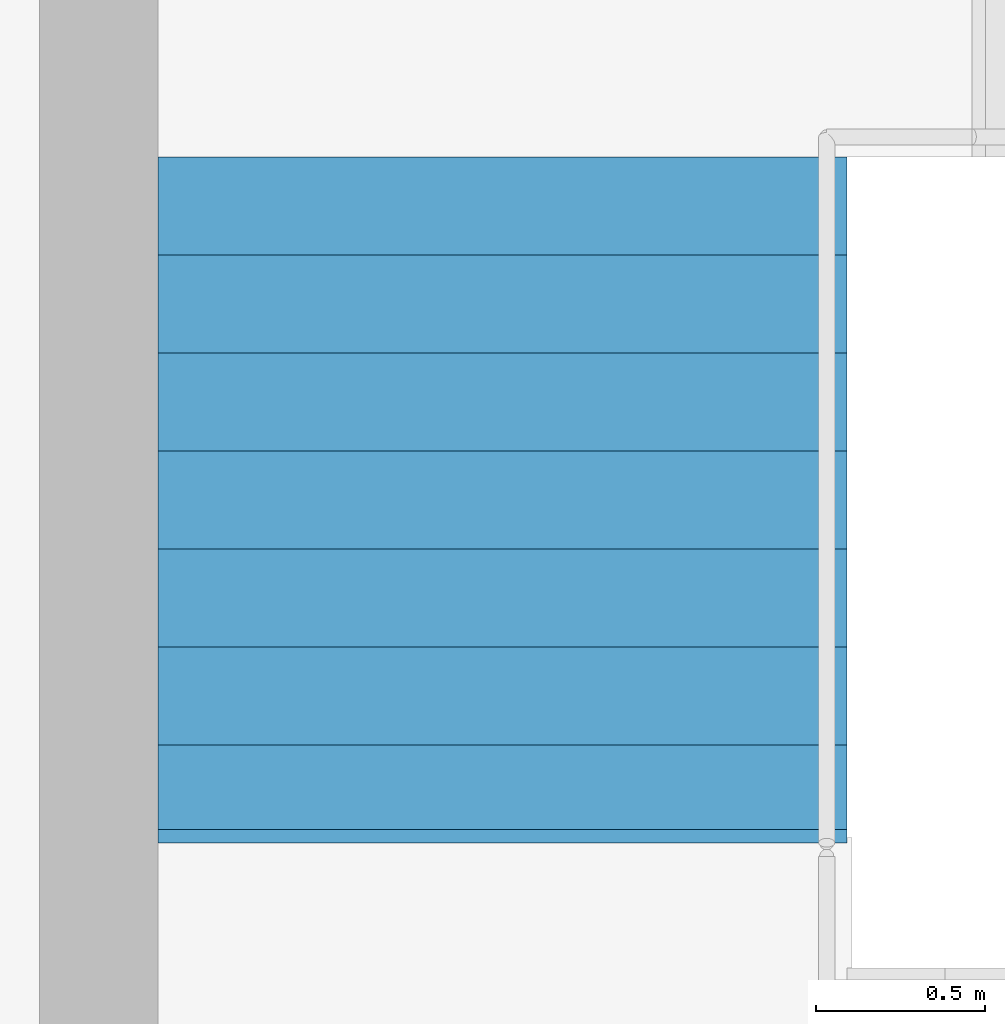
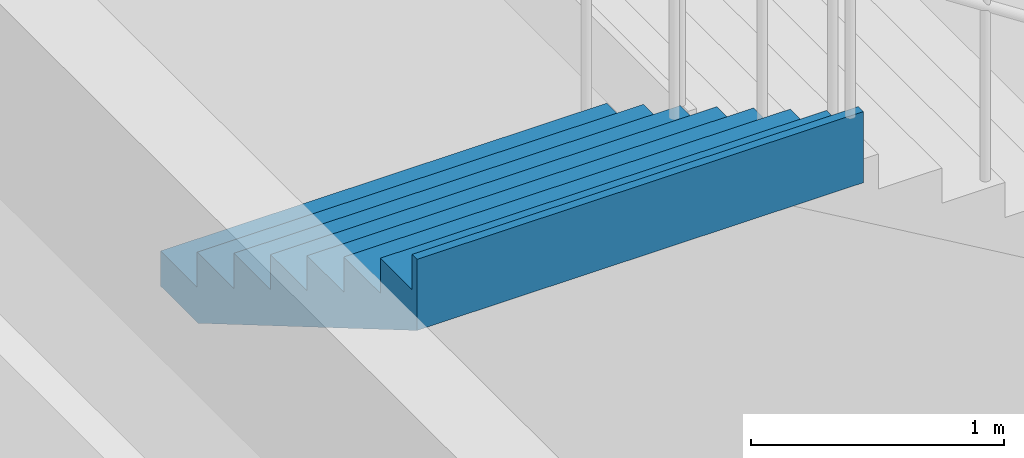
# One storey, part 53 of 72: 1 stair flight, 1 element without a shape of its own.
"""IFC4 building model written with IfcOpenShell, lengths in metres."""

from ifc_helpers import new_model, si_unit, direction, frame, origin, place, context, subcontext, project, spatial, triangles, material, type_object, element, aggregate, save


model = new_model("IFC4")

# Units and contexts
model_context = context("Model", 3, precision=1e-05, world=origin(), true_north=direction((0.0, 1.0)))
body_context = subcontext(model_context, "Body", "Model", "MODEL_VIEW")
ifc_project = project(units=[si_unit("LENGTHUNIT", "METRE"), si_unit("AREAUNIT", "SQUARE_METRE"), si_unit("VOLUMEUNIT", "CUBIC_METRE"), si_unit("PLANEANGLEUNIT", "RADIAN"), si_unit("MASSUNIT", "GRAM", prefix="KILO")], contexts=[model_context])

# Site, building, storey
site_placement = place(None, origin())
site = spatial("IfcSite", under=ifc_project, at=site_placement, CompositionType="ELEMENT")
building_placement = place(site_placement, origin())
building = spatial("IfcBuilding", under=site, at=building_placement, Name="Sillaruma Civic Art Gallery", CompositionType="ELEMENT")
storey_placement = place(building_placement, frame((0.0, 0.0, 10.8798828125)))
storey = spatial("IfcBuildingStorey", under=building, at=storey_placement, Name="L02", CompositionType="ELEMENT", Elevation=10.8798828125)

# Stair, stair flight
ifc_material = material(Name="Concrete H35 (35 MPa)", Category="concrete")
stair_type = type_object("IfcStairType", Name="STR-4F-32", PredefinedType="USERDEFINED", material=ifc_material)
stair_placement = place(storey_placement, origin())
stair = element("IfcStair", 1, at=stair_placement, inside=storey, type_object=stair_type, Name="Protected Exit Stair ST-04 (East Bar) (L02)", ObjectType="THREE_RETURN_STAIR", PredefinedType="USERDEFINED")
stair_flight_type = type_object("IfcStairFlightType", Name="SFL-STR-8", PredefinedType="STRAIGHT", material=ifc_material)
stair_flight_placement = place(storey_placement, frame((99.8798828125, 55.64990234375, 4.080078125), z_axis=(0.0, 0.0, 1.0), x_axis=(0.0, -1.0, 0.0)))
stair_flight = element("IfcStairFlight", 2, at=stair_flight_placement, type_object=stair_flight_type, Name="ST-04 flight 4", NumberOfRisers=8, NumberOfTreads=7, PredefinedType="STRAIGHT", RiserHeight=0.17, TreadLength=0.29, context=body_context, shape_type="Tessellation", body=[
    triangles([(0.0, -1.02001953125, 0.0), (0.29, -1.02001953125, 0.0), (0.296443, -1.02001953125, 0.0), (0.58, -1.02001953125, 0.166223), (0.87, -1.02001953125, 0.336223), (1.16, -1.02001953125, 0.506223), (1.45, -1.02001953125, 0.676223), (1.74, -1.02001953125, 0.846223), (1.990029, -1.02001953125, 0.992792), (2.030029, -1.02001953125, 1.01624), (2.030029, -1.02001953125, 1.36), (1.990029, -1.02001953125, 1.36), (1.990029, -1.02001953125, 1.19), (1.74, -1.02001953125, 1.19), (1.74, -1.02001953125, 1.02), (1.45, -1.02001953125, 1.02), (1.45, -1.02001953125, 0.85), (1.16, -1.02001953125, 0.85), (1.16, -1.02001953125, 0.68), (0.87, -1.02001953125, 0.68), (0.87, -1.02001953125, 0.51), (0.58, -1.02001953125, 0.51), (0.58, -1.02001953125, 0.34), (0.296443, -1.02001953125, 0.34), (0.29, -1.02001953125, 0.34), (0.29, -1.02001953125, 0.17), (0.0, -1.02001953125, 0.17), (0.0, -0.05, 0.0), (0.29, -0.05, 0.0), (0.296443, -0.05, 0.0), (0.58, -0.05, 0.166223), (0.87, -0.05, 0.336223), (1.16, -0.05, 0.506223), (1.45, -0.05, 0.676223), (1.74, -0.05, 0.846223), (1.990029, -0.05, 0.992792), (2.030029, -0.05, 1.01624), (2.030029, -0.05, 1.36), (1.990029, -0.05, 1.36), (1.990029, -0.05, 1.19), (1.74, -0.05, 1.19), (1.74, -0.05, 1.02), (1.45, -0.05, 1.02), (1.45, -0.05, 0.85), (1.16, -0.05, 0.85), (1.16, -0.05, 0.68), (0.87, -0.05, 0.68), (0.87, -0.05, 0.51), (0.58, -0.05, 0.51), (0.58, -0.05, 0.34), (0.296443, -0.05, 0.34), (0.29, -0.05, 0.34), (0.29, -0.05, 0.17), (0.0, -0.05, 0.17), (0.0, -0.0375, 0.0), (0.29, -0.0375, 0.0), (0.296443, -0.0375, 0.0), (0.58, -0.0375, 0.166223), (0.87, -0.0375, 0.336223), (1.16, -0.0375, 0.506223), (1.45, -0.0375, 0.676223), (1.74, -0.0375, 0.846223), (1.990029, -0.0375, 0.992792), (2.030029, -0.0375, 1.01624), (2.030029, -0.0375, 1.36), (1.990029, -0.0375, 1.36), (1.990029, -0.0375, 1.19), (1.74, -0.0375, 1.19), (1.74, -0.0375, 1.02), (1.45, -0.0375, 1.02), (1.45, -0.0375, 0.85), (1.16, -0.0375, 0.85), (1.16, -0.0375, 0.68), (0.87, -0.0375, 0.68), (0.87, -0.0375, 0.51), (0.58, -0.0375, 0.51), (0.58, -0.0375, 0.34), (0.296443, -0.0375, 0.34), (0.29, -0.0375, 0.34), (0.29, -0.0375, 0.17), (0.0, -0.0375, 0.17), (0.0, -0.025, 0.0), (0.29, -0.025, 0.0), (0.296443, -0.025, 0.0), (0.58, -0.025, 0.166223), (0.87, -0.025, 0.336223), (1.16, -0.025, 0.506223), (1.45, -0.025, 0.676223), (1.74, -0.025, 0.846223), (1.990029, -0.025, 0.992792), (2.030029, -0.025, 1.01624), (2.030029, -0.025, 1.36), (1.990029, -0.025, 1.36), (1.990029, -0.025, 1.19), (1.74, -0.025, 1.19), (1.74, -0.025, 1.02), (1.45, -0.025, 1.02), (1.45, -0.025, 0.85), (1.16, -0.025, 0.85), (1.16, -0.025, 0.68), (0.87, -0.025, 0.68), (0.87, -0.025, 0.51), (0.58, -0.025, 0.51), (0.58, -0.025, 0.34), (0.296443, -0.025, 0.34), (0.29, -0.025, 0.34), (0.29, -0.025, 0.17), (0.0, -0.025, 0.17), (0.0, -0.0125, 0.0), (0.29, -0.0125, 0.0), (0.296443, -0.0125, 0.0), (0.58, -0.0125, 0.166223), (0.87, -0.0125, 0.336223), (1.16, -0.0125, 0.506223), (1.45, -0.0125, 0.676223), (1.74, -0.0125, 0.846223), (1.990029, -0.0125, 0.992792), (2.030029, -0.0125, 1.01624), (2.030029, -0.0125, 1.36), (1.990029, -0.0125, 1.36), (1.990029, -0.0125, 1.19), (1.74, -0.0125, 1.19), (1.74, -0.0125, 1.02), (1.45, -0.0125, 1.02), (1.45, -0.0125, 0.85), (1.16, -0.0125, 0.85), (1.16, -0.0125, 0.68), (0.87, -0.0125, 0.68), (0.87, -0.0125, 0.51), (0.58, -0.0125, 0.51), (0.58, -0.0125, 0.34), (0.296443, -0.0125, 0.34), (0.29, -0.0125, 0.34), (0.29, -0.0125, 0.17), (0.0, -0.0125, 0.17), (0.0, 0.0, 0.0), (0.29, 0.0, 0.0), (0.296443, 0.0, 0.0), (0.58, 0.0, 0.166223), (0.87, 0.0, 0.336223), (1.16, 0.0, 0.506223), (1.45, 0.0, 0.676223), (1.74, 0.0, 0.846223), (1.990029, 0.0, 0.992792), (2.030029, 0.0, 1.01624), (2.030029, 0.0, 1.36), (1.990029, 0.0, 1.36), (1.990029, 0.0, 1.19), (1.74, 0.0, 1.19), (1.74, 0.0, 1.02), (1.45, 0.0, 1.02), (1.45, 0.0, 0.85), (1.16, 0.0, 0.85), (1.16, 0.0, 0.68), (0.87, 0.0, 0.68), (0.87, 0.0, 0.51), (0.58, 0.0, 0.51), (0.58, 0.0, 0.34), (0.296443, 0.0, 0.34), (0.29, 0.0, 0.34), (0.29, 0.0, 0.17), (0.0, 0.0, 0.17), (0.0, 0.0125, 0.0), (0.29, 0.0125, 0.0), (0.296443, 0.0125, 0.0), (0.58, 0.0125, 0.166223), (0.87, 0.0125, 0.336223), (1.16, 0.0125, 0.506223), (1.45, 0.0125, 0.676223), (1.74, 0.0125, 0.846223), (1.990029, 0.0125, 0.992792), (2.030029, 0.0125, 1.01624), (2.030029, 0.0125, 1.36), (1.990029, 0.0125, 1.36), (1.990029, 0.0125, 1.19), (1.74, 0.0125, 1.19), (1.74, 0.0125, 1.02), (1.45, 0.0125, 1.02), (1.45, 0.0125, 0.85), (1.16, 0.0125, 0.85), (1.16, 0.0125, 0.68), (0.87, 0.0125, 0.68), (0.87, 0.0125, 0.51), (0.58, 0.0125, 0.51), (0.58, 0.0125, 0.34), (0.296443, 0.0125, 0.34), (0.29, 0.0125, 0.34), (0.29, 0.0125, 0.17), (0.0, 0.0125, 0.17), (0.0, 0.025, 0.0), (0.29, 0.025, 0.0), (0.296443, 0.025, 0.0), (0.58, 0.025, 0.166223), (0.87, 0.025, 0.336223), (1.16, 0.025, 0.506223), (1.45, 0.025, 0.676223), (1.74, 0.025, 0.846223), (1.990029, 0.025, 0.992792), (2.030029, 0.025, 1.01624), (2.030029, 0.025, 1.36), (1.990029, 0.025, 1.36), (1.990029, 0.025, 1.19), (1.74, 0.025, 1.19), (1.74, 0.025, 1.02), (1.45, 0.025, 1.02), (1.45, 0.025, 0.85), (1.16, 0.025, 0.85), (1.16, 0.025, 0.68), (0.87, 0.025, 0.68), (0.87, 0.025, 0.51), (0.58, 0.025, 0.51), (0.58, 0.025, 0.34), (0.296443, 0.025, 0.34), (0.29, 0.025, 0.34), (0.29, 0.025, 0.17), (0.0, 0.025, 0.17), (0.0, 0.0375, 0.0), (0.29, 0.0375, 0.0), (0.296443, 0.0375, 0.0), (0.58, 0.0375, 0.166223), (0.87, 0.0375, 0.336223), (1.16, 0.0375, 0.506223), (1.45, 0.0375, 0.676223), (1.74, 0.0375, 0.846223), (1.990029, 0.0375, 0.992792), (2.030029, 0.0375, 1.01624), (2.030029, 0.0375, 1.36), (1.990029, 0.0375, 1.36), (1.990029, 0.0375, 1.19), (1.74, 0.0375, 1.19), (1.74, 0.0375, 1.02), (1.45, 0.0375, 1.02), (1.45, 0.0375, 0.85), (1.16, 0.0375, 0.85), (1.16, 0.0375, 0.68), (0.87, 0.0375, 0.68), (0.87, 0.0375, 0.51), (0.58, 0.0375, 0.51), (0.58, 0.0375, 0.34), (0.296443, 0.0375, 0.34), (0.29, 0.0375, 0.34), (0.29, 0.0375, 0.17), (0.0, 0.0375, 0.17), (0.0, 0.05, 0.0), (0.29, 0.05, 0.0), (0.296443, 0.05, 0.0), (0.58, 0.05, 0.166223), (0.87, 0.05, 0.336223), (1.16, 0.05, 0.506223), (1.45, 0.05, 0.676223), (1.74, 0.05, 0.846223), (1.990029, 0.05, 0.992792), (2.030029, 0.05, 1.01624), (2.030029, 0.05, 1.36), (1.990029, 0.05, 1.36), (1.990029, 0.05, 1.19), (1.74, 0.05, 1.19), (1.74, 0.05, 1.02), (1.45, 0.05, 1.02), (1.45, 0.05, 0.85), (1.16, 0.05, 0.85), (1.16, 0.05, 0.68), (0.87, 0.05, 0.68), (0.87, 0.05, 0.51), (0.58, 0.05, 0.51), (0.58, 0.05, 0.34), (0.296443, 0.05, 0.34), (0.29, 0.05, 0.34), (0.29, 0.05, 0.17), (0.0, 0.05, 0.17), (0.0, 1.02001953125, 0.0), (0.29, 1.02001953125, 0.0), (0.296443, 1.02001953125, 0.0), (0.58, 1.02001953125, 0.166223), (0.87, 1.02001953125, 0.336223), (1.16, 1.02001953125, 0.506223), (1.45, 1.02001953125, 0.676223), (1.74, 1.02001953125, 0.846223), (1.990029, 1.02001953125, 0.992792), (2.030029, 1.02001953125, 1.01624), (2.030029, 1.02001953125, 1.36), (1.990029, 1.02001953125, 1.36), (1.990029, 1.02001953125, 1.19), (1.74, 1.02001953125, 1.19), (1.74, 1.02001953125, 1.02), (1.45, 1.02001953125, 1.02), (1.45, 1.02001953125, 0.85), (1.16, 1.02001953125, 0.85), (1.16, 1.02001953125, 0.68), (0.87, 1.02001953125, 0.68), (0.87, 1.02001953125, 0.51), (0.58, 1.02001953125, 0.51), (0.58, 1.02001953125, 0.34), (0.296443, 1.02001953125, 0.34), (0.29, 1.02001953125, 0.34), (0.29, 1.02001953125, 0.17), (0.0, 1.02001953125, 0.17)], [[1, 2, 26], [1, 26, 27], [2, 3, 24], [2, 24, 26], [26, 24, 25], [3, 4, 23], [3, 23, 24], [4, 5, 21], [4, 21, 23], [23, 21, 22], [5, 6, 19], [5, 19, 21], [21, 19, 20], [6, 7, 17], [6, 17, 19], [19, 17, 18], [7, 8, 15], [7, 15, 17], [17, 15, 16], [8, 9, 13], [8, 13, 15], [15, 13, 14], [9, 10, 11], [9, 11, 13], [13, 11, 12], [296, 272, 271], [297, 296, 271], [294, 273, 272], [296, 294, 272], [295, 294, 296], [293, 274, 273], [294, 293, 273], [291, 275, 274], [293, 291, 274], [292, 291, 293], [289, 276, 275], [291, 289, 275], [290, 289, 291], [287, 277, 276], [289, 287, 276], [288, 287, 289], [285, 278, 277], [287, 285, 277], [286, 285, 287], [283, 279, 278], [285, 283, 278], [284, 283, 285], [281, 280, 279], [283, 281, 279], [282, 281, 283], [2, 1, 28], [2, 28, 29], [3, 2, 29], [3, 29, 30], [4, 3, 30], [4, 30, 31], [5, 4, 31], [5, 31, 32], [6, 5, 32], [6, 32, 33], [7, 6, 33], [7, 33, 34], [8, 7, 34], [8, 34, 35], [9, 8, 35], [9, 35, 36], [10, 9, 36], [10, 36, 37], [11, 10, 37], [11, 37, 38], [12, 11, 38], [12, 38, 39], [13, 12, 39], [13, 39, 40], [14, 13, 40], [14, 40, 41], [15, 14, 41], [15, 41, 42], [16, 15, 42], [16, 42, 43], [17, 16, 43], [17, 43, 44], [18, 17, 44], [18, 44, 45], [19, 18, 45], [19, 45, 46], [20, 19, 46], [20, 46, 47], [21, 20, 47], [21, 47, 48], [22, 21, 48], [22, 48, 49], [23, 22, 49], [23, 49, 50], [24, 23, 50], [24, 50, 51], [25, 24, 51], [25, 51, 52], [26, 25, 52], [26, 52, 53], [27, 26, 53], [27, 53, 54], [1, 27, 54], [1, 54, 28], [29, 28, 55], [29, 55, 56], [30, 29, 56], [30, 56, 57], [31, 30, 57], [31, 57, 58], [32, 31, 58], [32, 58, 59], [33, 32, 59], [33, 59, 60], [34, 33, 60], [34, 60, 61], [35, 34, 61], [35, 61, 62], [36, 35, 62], [36, 62, 63], [37, 36, 63], [37, 63, 64], [38, 37, 64], [38, 64, 65], [39, 38, 65], [39, 65, 66], [40, 39, 66], [40, 66, 67], [41, 40, 67], [41, 67, 68], [42, 41, 68], [42, 68, 69], [43, 42, 69], [43, 69, 70], [44, 43, 70], [44, 70, 71], [45, 44, 71], [45, 71, 72], [46, 45, 72], [46, 72, 73], [47, 46, 73], [47, 73, 74], [48, 47, 74], [48, 74, 75], [49, 48, 75], [49, 75, 76], [50, 49, 76], [50, 76, 77], [51, 50, 77], [51, 77, 78], [52, 51, 78], [52, 78, 79], [53, 52, 79], [53, 79, 80], [54, 53, 80], [54, 80, 81], [28, 54, 81], [28, 81, 55], [56, 55, 82], [56, 82, 83], [57, 56, 83], [57, 83, 84], [58, 57, 84], [58, 84, 85], [59, 58, 85], [59, 85, 86], [60, 59, 86], [60, 86, 87], [61, 60, 87], [61, 87, 88], [62, 61, 88], [62, 88, 89], [63, 62, 89], [63, 89, 90], [64, 63, 90], [64, 90, 91], [65, 64, 91], [65, 91, 92], [66, 65, 92], [66, 92, 93], [67, 66, 93], [67, 93, 94], [68, 67, 94], [68, 94, 95], [69, 68, 95], [69, 95, 96], [70, 69, 96], [70, 96, 97], [71, 70, 97], [71, 97, 98], [72, 71, 98], [72, 98, 99], [73, 72, 99], [73, 99, 100], [74, 73, 100], [74, 100, 101], [75, 74, 101], [75, 101, 102], [76, 75, 102], [76, 102, 103], [77, 76, 103], [77, 103, 104], [78, 77, 104], [78, 104, 105], [79, 78, 105], [79, 105, 106], [80, 79, 106], [80, 106, 107], [81, 80, 107], [81, 107, 108], [55, 81, 108], [55, 108, 82], [83, 82, 109], [83, 109, 110], [84, 83, 110], [84, 110, 111], [85, 84, 111], [85, 111, 112], [86, 85, 112], [86, 112, 113], [87, 86, 113], [87, 113, 114], [88, 87, 114], [88, 114, 115], [89, 88, 115], [89, 115, 116], [90, 89, 116], [90, 116, 117], [91, 90, 117], [91, 117, 118], [92, 91, 118], [92, 118, 119], [93, 92, 119], [93, 119, 120], [94, 93, 120], [94, 120, 121], [95, 94, 121], [95, 121, 122], [96, 95, 122], [96, 122, 123], [97, 96, 123], [97, 123, 124], [98, 97, 124], [98, 124, 125], [99, 98, 125], [99, 125, 126], [100, 99, 126], [100, 126, 127], [101, 100, 127], [101, 127, 128], [102, 101, 128], [102, 128, 129], [103, 102, 129], [103, 129, 130], [104, 103, 130], [104, 130, 131], [105, 104, 131], [105, 131, 132], [106, 105, 132], [106, 132, 133], [107, 106, 133], [107, 133, 134], [108, 107, 134], [108, 134, 135], [82, 108, 135], [82, 135, 109], [110, 109, 136], [110, 136, 137], [111, 110, 137], [111, 137, 138], [112, 111, 138], [112, 138, 139], [113, 112, 139], [113, 139, 140], [114, 113, 140], [114, 140, 141], [115, 114, 141], [115, 141, 142], [116, 115, 142], [116, 142, 143], [117, 116, 143], [117, 143, 144], [118, 117, 144], [118, 144, 145], [119, 118, 145], [119, 145, 146], [120, 119, 146], [120, 146, 147], [121, 120, 147], [121, 147, 148], [122, 121, 148], [122, 148, 149], [123, 122, 149], [123, 149, 150], [124, 123, 150], [124, 150, 151], [125, 124, 151], [125, 151, 152], [126, 125, 152], [126, 152, 153], [127, 126, 153], [127, 153, 154], [128, 127, 154], [128, 154, 155], [129, 128, 155], [129, 155, 156], [130, 129, 156], [130, 156, 157], [131, 130, 157], [131, 157, 158], [132, 131, 158], [132, 158, 159], [133, 132, 159], [133, 159, 160], [134, 133, 160], [134, 160, 161], [135, 134, 161], [135, 161, 162], [109, 135, 162], [109, 162, 136], [137, 136, 163], [137, 163, 164], [138, 137, 164], [138, 164, 165], [139, 138, 165], [139, 165, 166], [140, 139, 166], [140, 166, 167], [141, 140, 167], [141, 167, 168], [142, 141, 168], [142, 168, 169], [143, 142, 169], [143, 169, 170], [144, 143, 170], [144, 170, 171], [145, 144, 171], [145, 171, 172], [146, 145, 172], [146, 172, 173], [147, 146, 173], [147, 173, 174], [148, 147, 174], [148, 174, 175], [149, 148, 175], [149, 175, 176], [150, 149, 176], [150, 176, 177], [151, 150, 177], [151, 177, 178], [152, 151, 178], [152, 178, 179], [153, 152, 179], [153, 179, 180], [154, 153, 180], [154, 180, 181], [155, 154, 181], [155, 181, 182], [156, 155, 182], [156, 182, 183], [157, 156, 183], [157, 183, 184], [158, 157, 184], [158, 184, 185], [159, 158, 185], [159, 185, 186], [160, 159, 186], [160, 186, 187], [161, 160, 187], [161, 187, 188], [162, 161, 188], [162, 188, 189], [136, 162, 189], [136, 189, 163], [164, 163, 190], [164, 190, 191], [165, 164, 191], [165, 191, 192], [166, 165, 192], [166, 192, 193], [167, 166, 193], [167, 193, 194], [168, 167, 194], [168, 194, 195], [169, 168, 195], [169, 195, 196], [170, 169, 196], [170, 196, 197], [171, 170, 197], [171, 197, 198], [172, 171, 198], [172, 198, 199], [173, 172, 199], [173, 199, 200], [174, 173, 200], [174, 200, 201], [175, 174, 201], [175, 201, 202], [176, 175, 202], [176, 202, 203], [177, 176, 203], [177, 203, 204], [178, 177, 204], [178, 204, 205], [179, 178, 205], [179, 205, 206], [180, 179, 206], [180, 206, 207], [181, 180, 207], [181, 207, 208], [182, 181, 208], [182, 208, 209], [183, 182, 209], [183, 209, 210], [184, 183, 210], [184, 210, 211], [185, 184, 211], [185, 211, 212], [186, 185, 212], [186, 212, 213], [187, 186, 213], [187, 213, 214], [188, 187, 214], [188, 214, 215], [189, 188, 215], [189, 215, 216], [163, 189, 216], [163, 216, 190], [191, 190, 217], [191, 217, 218], [192, 191, 218], [192, 218, 219], [193, 192, 219], [193, 219, 220], [194, 193, 220], [194, 220, 221], [195, 194, 221], [195, 221, 222], [196, 195, 222], [196, 222, 223], [197, 196, 223], [197, 223, 224], [198, 197, 224], [198, 224, 225], [199, 198, 225], [199, 225, 226], [200, 199, 226], [200, 226, 227], [201, 200, 227], [201, 227, 228], [202, 201, 228], [202, 228, 229], [203, 202, 229], [203, 229, 230], [204, 203, 230], [204, 230, 231], [205, 204, 231], [205, 231, 232], [206, 205, 232], [206, 232, 233], [207, 206, 233], [207, 233, 234], [208, 207, 234], [208, 234, 235], [209, 208, 235], [209, 235, 236], [210, 209, 236], [210, 236, 237], [211, 210, 237], [211, 237, 238], [212, 211, 238], [212, 238, 239], [213, 212, 239], [213, 239, 240], [214, 213, 240], [214, 240, 241], [215, 214, 241], [215, 241, 242], [216, 215, 242], [216, 242, 243], [190, 216, 243], [190, 243, 217], [218, 217, 244], [218, 244, 245], [219, 218, 245], [219, 245, 246], [220, 219, 246], [220, 246, 247], [221, 220, 247], [221, 247, 248], [222, 221, 248], [222, 248, 249], [223, 222, 249], [223, 249, 250], [224, 223, 250], [224, 250, 251], [225, 224, 251], [225, 251, 252], [226, 225, 252], [226, 252, 253], [227, 226, 253], [227, 253, 254], [228, 227, 254], [228, 254, 255], [229, 228, 255], [229, 255, 256], [230, 229, 256], [230, 256, 257], [231, 230, 257], [231, 257, 258], [232, 231, 258], [232, 258, 259], [233, 232, 259], [233, 259, 260], [234, 233, 260], [234, 260, 261], [235, 234, 261], [235, 261, 262], [236, 235, 262], [236, 262, 263], [237, 236, 263], [237, 263, 264], [238, 237, 264], [238, 264, 265], [239, 238, 265], [239, 265, 266], [240, 239, 266], [240, 266, 267], [241, 240, 267], [241, 267, 268], [242, 241, 268], [242, 268, 269], [243, 242, 269], [243, 269, 270], [217, 243, 270], [217, 270, 244], [245, 244, 271], [245, 271, 272], [246, 245, 272], [246, 272, 273], [247, 246, 273], [247, 273, 274], [248, 247, 274], [248, 274, 275], [249, 248, 275], [249, 275, 276], [250, 249, 276], [250, 276, 277], [251, 250, 277], [251, 277, 278], [252, 251, 278], [252, 278, 279], [253, 252, 279], [253, 279, 280], [254, 253, 280], [254, 280, 281], [255, 254, 281], [255, 281, 282], [256, 255, 282], [256, 282, 283], [257, 256, 283], [257, 283, 284], [258, 257, 284], [258, 284, 285], [259, 258, 285], [259, 285, 286], [260, 259, 286], [260, 286, 287], [261, 260, 287], [261, 287, 288], [262, 261, 288], [262, 288, 289], [263, 262, 289], [263, 289, 290], [264, 263, 290], [264, 290, 291], [265, 264, 291], [265, 291, 292], [266, 265, 292], [266, 292, 293], [267, 266, 293], [267, 293, 294], [268, 267, 294], [268, 294, 295], [269, 268, 295], [269, 295, 296], [270, 269, 296], [270, 296, 297], [244, 270, 297], [244, 297, 271]], closed=True),
])
aggregate(stair, [stair_flight])

save(model, "model.ifc")
